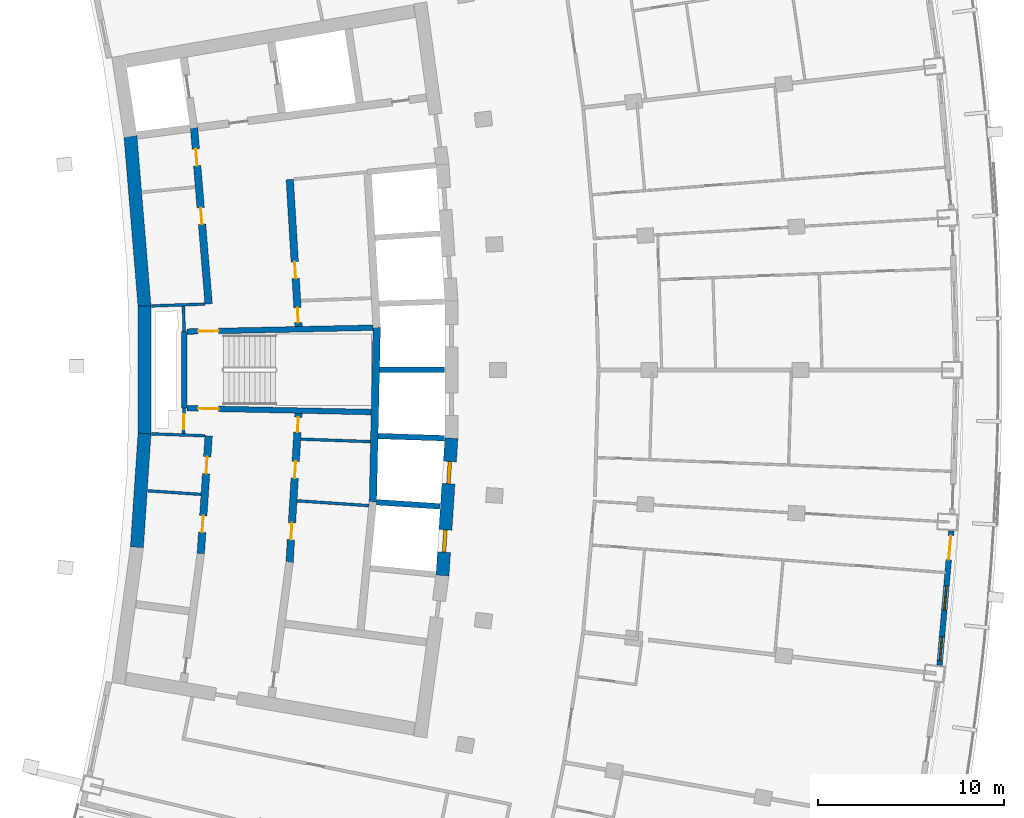
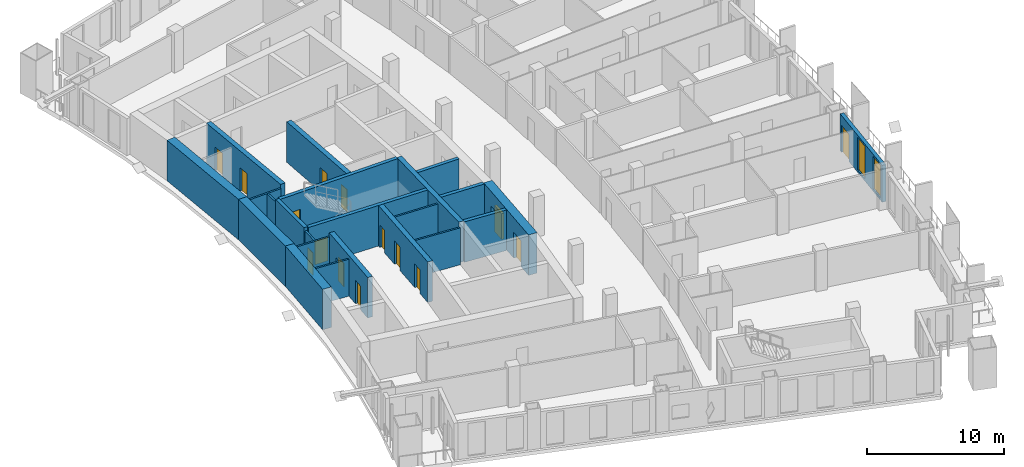
# One storey, part 13 of 21: 23 walls, 15 doors, 2 windows, 17 openings.
"""IFC4 building model written with IfcOpenShell, lengths in metres."""

from ifc_helpers import new_model, si_unit, direction, frame, frame_2d, origin, place, context, subcontext, project, spatial, rectangle, extrude, material, layer, layer_set, type_object, element, fill, save


model = new_model("IFC4")

# Units and contexts
model_context = context("Model", 3, precision=1e-05, world=origin(), true_north=direction((0.0, 1.0)))
body_context = subcontext(model_context, "Body", "Model", "MODEL_VIEW")
ifc_project = project(units=[si_unit("LENGTHUNIT", "METRE"), si_unit("AREAUNIT", "SQUARE_METRE"), si_unit("VOLUMEUNIT", "CUBIC_METRE"), si_unit("PLANEANGLEUNIT", "RADIAN"), si_unit("MASSUNIT", "GRAM", prefix="KILO")], contexts=[model_context])

# Site, building, storey
site_placement = place(None, origin())
site = spatial("IfcSite", under=ifc_project, at=site_placement, CompositionType="ELEMENT")
building_placement = place(site_placement, origin())
building = spatial("IfcBuilding", under=site, at=building_placement, Name="Alderwake Tower", CompositionType="ELEMENT")
storey_placement = place(building_placement, frame((0.0, 0.0, 146.0)))
storey = spatial("IfcBuildingStorey", under=building, at=storey_placement, Name="L35", CompositionType="ELEMENT", Elevation=146.0)

# Wall
ifc_material_1 = material(Name="Gypsum shaft wall system, rated")
ifc_layer_1 = layer(ifc_material_1, 0.14990234375)
ifc_layer_set_1 = layer_set([ifc_layer_1], Name="Core riser partition 150")
wall_type_1 = type_object("IfcWallType", Name="Core riser partition 150", PredefinedType="PARTITIONING", material=ifc_layer_set_1)
wall_1_placement = place(storey_placement, frame((25.1904296875, 57.276611328125, 0.0), z_axis=(0.0, 0.0, 1.0), x_axis=(0.99937350076, -0.035392173974, 0.0)))
element("IfcWall", 1, at=wall_1_placement, inside=storey, type_object=wall_type_1, Name="CW/L35/PR-37_+86", PredefinedType="PARTITIONING", context=body_context, shape_type="SweptSolid", body=[
    extrude(rectangle(XDim=3.752685546875, YDim=0.14990234375, at=frame_2d((1.87646484375, 0.0))), origin(), (0.0, 0.0, 1.0), 3.280029296875),
])

# Wall, opening, door
ifc_material_2 = material(Name="Gypsum shaft wall system, rated")
ifc_layer_2 = layer(ifc_material_2, 0.14990234375)
ifc_layer_set_2 = layer_set([ifc_layer_2], Name="Core room partition 150")
wall_type_2 = type_object("IfcWallType", Name="Core room partition 150", PredefinedType="PARTITIONING", material=ifc_layer_set_2)
wall_2_placement = place(storey_placement, frame((18.918701171875, 58.94384765625, 0.0), z_axis=(0.0, 0.0, 1.0), x_axis=(-0.027811602725, -0.999613182563, 0.0)))
wall_2 = element("IfcWall", 2, at=wall_2_placement, inside=storey, type_object=wall_type_2, Name="CW/L35/PA+24_-37", PredefinedType="PARTITIONING", context=body_context, shape_type="SweptSolid", body=[
    extrude(rectangle(XDim=1.369384765625, YDim=0.14990234375, at=frame_2d((0.6845703125, 0.0))), origin(), (0.0, 0.0, 1.0), 3.280029296875),
])
opening_1_placement = place(wall_2_placement, frame((0.322998046875, 0.0, 0.0)))
opening_1 = element("IfcOpeningElement", 3, at=opening_1_placement, cuts=wall_2, Name="Opening C004", PredefinedType="OPENING", context=body_context, shape_type="SweptSolid", body=[
    extrude(rectangle(XDim=0.800048828125, YDim=2.0, at=frame_2d((0.39990234375, 1.0))), frame((0.0, 0.0849609375, 0.0), z_axis=(0.0, -1.0, 0.0), x_axis=(1.0, 0.0, 0.0)), (0.0, 0.0, 1.0), 0.169921875),
])
ifc_material_3 = material(Name="Painted steel leaf, rated", Category="steel")
door_type_1 = type_object("IfcDoorType", Name="Riser access door 800", OperationType="SINGLE_SWING_LEFT", PredefinedType="DOOR", material=ifc_material_3)
door_1_placement = place(opening_1_placement, origin())
door_1 = element("IfcDoor", 4, at=door_1_placement, inside=storey, type_object=door_type_1, Name="Riser access door", OperationType="SINGLE_SWING_RIGHT", OverallHeight=2.0, OverallWidth=0.800048828125, PredefinedType="DOOR", context=body_context, shape_type="SweptSolid", body=[
    extrude(rectangle(XDim=0.800048828125, YDim=2.0, at=frame_2d((0.39990234375, 1.0))), frame((0.0, 0.02490234375, 0.0), z_axis=(0.0, -1.0, 0.0), x_axis=(1.0, 0.0, 0.0)), (0.0, 0.0, 1.0), 0.050048828125),
])
fill(opening_1, door_1)

# Walls
wall_3_placement = place(storey_placement, frame((18.918701171875, 63.05517578125, 0.0), z_axis=(0.0, 0.0, 1.0), x_axis=(-0.027791791559, 0.99961373356, 0.0)))
element("IfcWall", 5, at=wall_3_placement, inside=storey, type_object=wall_type_2, Name="CW/L35/PA+24_+22", PredefinedType="PARTITIONING", context=body_context, shape_type="SweptSolid", body=[
    extrude(rectangle(XDim=1.370361328125, YDim=0.14990234375, at=frame_2d((0.68505859375, 0.0))), origin(), (0.0, 0.0, 1.0), 3.280029296875),
])
wall_4_placement = place(storey_placement, frame((16.964111328125, 54.49951171875, 0.0), z_axis=(0.0, 0.0, 1.0), x_axis=(0.997759473015, -0.066903168895, 0.0)))
element("IfcWall", 6, at=wall_4_placement, inside=storey, type_object=wall_type_2, Name="CW/L35/PR-70_+0", PredefinedType="PARTITIONING", context=body_context, shape_type="SweptSolid", body=[
    extrude(rectangle(XDim=2.8681640625, YDim=0.14990234375, at=frame_2d((1.43408203125, 0.0))), origin(), (0.0, 0.0, 1.0), 3.280029296875),
])
wall_5_placement = place(storey_placement, frame((24.990234375, 53.96142578125, 0.0), z_axis=(0.0, 0.0, 1.0), x_axis=(0.997758824467, -0.06691284031, 0.0)))
element("IfcWall", 7, at=wall_5_placement, inside=storey, type_object=wall_type_2, Name="CW/L35/PR-70_+86", PredefinedType="PARTITIONING", context=body_context, shape_type="SweptSolid", body=[
    extrude(rectangle(XDim=3.86767578125, YDim=0.14990234375, at=frame_2d((1.933837890625, 0.0))), origin(), (0.0, 0.0, 1.0), 3.280029296875),
])
wall_6_placement = place(storey_placement, frame((17.169189453125, 57.560546875, 0.0), z_axis=(0.0, 0.0, 1.0), x_axis=(0.999373538371, -0.03539111194, 0.0)))
element("IfcWall", 8, at=wall_6_placement, inside=storey, type_object=wall_type_2, Name="CW/L35/PR-37_+0", PredefinedType="PARTITIONING", context=body_context, shape_type="SweptSolid", body=[
    extrude(rectangle(XDim=2.86962890625, YDim=0.14990234375, at=frame_2d((1.434814453125, 0.0))), origin(), (0.0, 0.0, 1.0), 3.280029296875),
])
wall_7_placement = place(storey_placement, frame((17.16943359375, 64.439453125, 0.0), z_axis=(0.0, 0.0, 1.0), x_axis=(0.999373431798, 0.035394121201, 0.0)))
element("IfcWall", 9, at=wall_7_placement, inside=storey, type_object=wall_type_2, Name="CW/L35/PR+37_+0", PredefinedType="PARTITIONING", context=body_context, shape_type="SweptSolid", body=[
    extrude(rectangle(XDim=2.869384765625, YDim=0.14990234375, at=frame_2d((1.4345703125, 0.0))), origin(), (0.0, 0.0, 1.0), 3.280029296875),
])
ifc_material_4 = material(Name="Concrete C70/85", Category="concrete")
ifc_layer_3 = layer(ifc_material_4, 0.699951171875)
ifc_layer_set_3 = layer_set([ifc_layer_3], Name="Core wall outer 700 C70-85")
wall_type_3 = type_object("IfcWallType", Name="Core wall outer 700 C70-85", PredefinedType="SHEAR", material=ifc_layer_set_3)
wall_8_placement = place(storey_placement, frame((16.379638671875, 51.46337890625, 0.0), z_axis=(0.0, 0.0, 1.0), x_axis=(0.066917731608, 0.997758496429, 0.0)))
element("IfcWall", 10, at=wall_8_placement, inside=storey, type_object=wall_type_3, Name="Core wall CW.041", PredefinedType="SHEAR", context=body_context, shape_type="SweptSolid", body=[
    extrude(rectangle(XDim=6.136474609375, YDim=0.699951171875, at=frame_2d((3.068359375, 0.0))), origin(), (0.0, 0.0, 1.0), 3.60009765625),
])
wall_9_placement = place(storey_placement, frame((16.789306640625, 57.561767578125, 0.0), z_axis=(0.0, 0.0, 1.0), x_axis=(0.0, 1.0, 0.0)))
element("IfcWall", 11, at=wall_9_placement, inside=storey, type_object=wall_type_3, Name="Core wall CW.043", PredefinedType="SHEAR", context=body_context, shape_type="SweptSolid", body=[
    extrude(rectangle(XDim=6.87939453125, YDim=0.699951171875, at=frame_2d((3.439697265625, 0.0))), origin(), (0.0, 0.0, 1.0), 3.60009765625),
])
wall_10_placement = place(storey_placement, frame((16.79052734375, 64.4111328125, 0.0), z_axis=(0.0, 0.0, 1.0), x_axis=(-0.082616907099, 0.996581379849, 0.0)))
element("IfcWall", 12, at=wall_10_placement, inside=storey, type_object=wall_type_3, Name="Core wall CW.040", PredefinedType="SHEAR", context=body_context, shape_type="SweptSolid", body=[
    extrude(rectangle(XDim=9.193359375, YDim=0.699951171875, at=frame_2d((4.5966796875, 0.0))), origin(), (0.0, 0.0, 1.0), 3.60009765625),
])

# Wall, openings, doors
wall_11_placement = place(storey_placement, frame((32.810302734375, 49.9482421875, 0.0), z_axis=(0.0, 0.0, 1.0), x_axis=(0.065009096017, 0.99788467141, 0.0)))
wall_11 = element("IfcWall", 13, at=wall_11_placement, inside=storey, type_object=wall_type_3, Name="Core wall CW.011", PredefinedType="SHEAR", context=body_context, shape_type="SweptSolid", body=[
    extrude(rectangle(XDim=7.39453125, YDim=0.699951171875, at=frame_2d((3.697265625, 0.0))), origin(), (0.0, 0.0, 1.0), 3.60009765625),
])
opening_2_placement = place(wall_11_placement, frame((1.255126953125, 0.0, 0.0)))
opening_2 = element("IfcOpeningElement", 14, at=opening_2_placement, cuts=wall_11, Name="Opening LD-HP1", PredefinedType="OPENING", context=body_context, shape_type="SweptSolid", body=[
    extrude(rectangle(XDim=1.199951171875, YDim=2.300048828125, at=frame_2d((0.60009765625, 1.14990234375))), frame((0.0, 0.35986328125, 0.0), z_axis=(0.0, -1.0, 0.0), x_axis=(1.0, 0.0, 0.0)), (0.0, 0.0, 1.0), 0.719970703125),
])
opening_3_placement = place(wall_11_placement, frame((4.9404296875, 0.0, 0.0)))
opening_3 = element("IfcOpeningElement", 15, at=opening_3_placement, cuts=wall_11, Name="Opening LD-HP2", PredefinedType="OPENING", context=body_context, shape_type="SweptSolid", body=[
    extrude(rectangle(XDim=1.199951171875, YDim=2.300048828125, at=frame_2d((0.60009765625, 1.14990234375))), frame((0.0, 0.35986328125, 0.0), z_axis=(0.0, -1.0, 0.0), x_axis=(1.0, 0.0, 0.0)), (0.0, 0.0, 1.0), 0.719970703125),
])
ifc_material_5 = material(Name="Stainless steel sliding leaf", Category="steel")
door_type_2 = type_object("IfcDoorType", Name="Lift landing door 1200", OperationType="SLIDING_TO_LEFT", PredefinedType="DOOR", material=ifc_material_5)
door_2_placement = place(opening_2_placement, origin())
door_2 = element("IfcDoor", 16, at=door_2_placement, inside=storey, type_object=door_type_2, Name="Lift landing door HP1", OperationType="SLIDING_TO_LEFT", OverallHeight=2.300048828125, OverallWidth=1.199951171875, PredefinedType="DOOR", context=body_context, shape_type="SweptSolid", body=[
    extrude(rectangle(XDim=1.199951171875, YDim=2.300048828125, at=frame_2d((0.60009765625, 1.14990234375))), frame((0.0, 0.10009765625, 0.0), z_axis=(0.0, -1.0, 0.0), x_axis=(1.0, 0.0, 0.0)), (0.0, 0.0, 1.0), 0.199951171875),
])
fill(opening_2, door_2)
door_3_placement = place(opening_3_placement, origin())
door_3 = element("IfcDoor", 17, at=door_3_placement, inside=storey, type_object=door_type_2, Name="Lift landing door HP2", OperationType="SLIDING_TO_LEFT", OverallHeight=2.300048828125, OverallWidth=1.199951171875, PredefinedType="DOOR", context=body_context, shape_type="SweptSolid", body=[
    extrude(rectangle(XDim=1.199951171875, YDim=2.300048828125, at=frame_2d((0.60009765625, 1.14990234375))), frame((0.0, 0.10009765625, 0.0), z_axis=(0.0, -1.0, 0.0), x_axis=(1.0, 0.0, 0.0)), (0.0, 0.0, 1.0), 0.199951171875),
])
fill(opening_3, door_3)

# Walls
ifc_material_6 = material(Name="Concrete C70/85", Category="concrete")
ifc_layer_4 = layer(ifc_material_6, 0.300048828125)
ifc_layer_set_4 = layer_set([ifc_layer_4], Name="Core wall shaft 300 C70-85")
wall_type_4 = type_object("IfcWallType", Name="Core wall shaft 300 C70-85", PredefinedType="SHEAR", material=ifc_layer_set_4)
wall_12_placement = place(storey_placement, frame((29.268798828125, 53.884521484375, 0.0), z_axis=(0.0, 0.0, 1.0), x_axis=(0.997884450261, -0.065012490553, 0.0)))
element("IfcWall", 18, at=wall_12_placement, inside=storey, type_object=wall_type_4, Name="Core wall CW.078", PredefinedType="SHEAR", context=body_context, shape_type="SweptSolid", body=[
    extrude(rectangle(XDim=3.409912109375, YDim=0.300048828125, at=frame_2d((1.705078125, 0.0))), origin(), (0.0, 0.0, 1.0), 3.60009765625),
])
wall_13_placement = place(storey_placement, frame((29.347412109375, 57.443603515625, 0.0), z_axis=(0.0, 0.0, 1.0), x_axis=(0.999470674121, -0.03253262319, 0.0)))
element("IfcWall", 19, at=wall_13_placement, inside=storey, type_object=wall_type_4, Name="Core wall CW.075", PredefinedType="SHEAR", context=body_context, shape_type="SweptSolid", body=[
    extrude(rectangle(XDim=3.564697265625, YDim=0.300048828125, at=frame_2d((1.7822265625, 0.0))), origin(), (0.0, 0.0, 1.0), 3.60009765625),
])
wall_14_placement = place(storey_placement, frame((29.426025390625, 61.0, 0.0), z_axis=(0.0, 0.0, 1.0), x_axis=(1.0, 0.0, 0.0)))
element("IfcWall", 20, at=wall_14_placement, inside=storey, type_object=wall_type_4, Name="Core wall CW.048", PredefinedType="SHEAR", context=body_context, shape_type="SweptSolid", body=[
    extrude(rectangle(XDim=3.484130859375, YDim=0.300048828125, at=frame_2d((1.7421875, 0.0))), origin(), (0.0, 0.0, 1.0), 3.60009765625),
])

# Wall, openings, doors
ifc_material_7 = material(Name="Concrete C70/85", Category="concrete")
ifc_layer_5 = layer(ifc_material_7, 0.39990234375)
ifc_layer_set_5 = layer_set([ifc_layer_5], Name="Core wall spine 400 C70-85")
wall_type_5 = type_object("IfcWallType", Name="Core wall spine 400 C70-85", PredefinedType="SHEAR", material=ifc_layer_set_5)
wall_15_placement = place(storey_placement, frame((20.2373046875, 57.451904296875, 0.0), z_axis=(0.0, 0.0, 1.0), x_axis=(-0.066887252767, -0.997760540118, 0.0)))
wall_15 = element("IfcWall", 21, at=wall_15_placement, inside=storey, type_object=wall_type_5, Name="Core wall CW.032", PredefinedType="SHEAR", context=body_context, shape_type="SweptSolid", body=[
    extrude(rectangle(XDim=6.33642578125, YDim=0.39990234375, at=frame_2d((3.168212890625, 0.0))), origin(), (0.0, 0.0, 1.0), 3.60009765625),
])
opening_4_placement = place(wall_15_placement, frame((4.29736328125, 0.0, 0.0)))
opening_4 = element("IfcOpeningElement", 22, at=opening_4_placement, cuts=wall_15, Name="Opening C038", PredefinedType="OPENING", context=body_context, shape_type="SweptSolid", body=[
    extrude(rectangle(XDim=0.89990234375, YDim=2.10009765625, at=frame_2d((0.449951171875, 1.050048828125))), frame((0.0, 0.2099609375, 0.0), z_axis=(0.0, -1.0, 0.0), x_axis=(1.0, 0.0, 0.0)), (0.0, 0.0, 1.0), 0.419921875),
])
opening_5_placement = place(wall_15_placement, frame((1.132080078125, 0.0, 0.0)))
opening_5 = element("IfcOpeningElement", 23, at=opening_5_placement, cuts=wall_15, Name="Opening C042", PredefinedType="OPENING", context=body_context, shape_type="SweptSolid", body=[
    extrude(rectangle(XDim=0.89990234375, YDim=2.10009765625, at=frame_2d((0.449951171875, 1.050048828125))), frame((0.0, 0.2099609375, 0.0), z_axis=(0.0, -1.0, 0.0), x_axis=(1.0, 0.0, 0.0)), (0.0, 0.0, 1.0), 0.419921875),
])
ifc_material_8 = material(Name="Painted steel leaf", Category="steel")
door_type_3 = type_object("IfcDoorType", Name="Core room door 900", OperationType="SINGLE_SWING_LEFT", PredefinedType="DOOR", material=ifc_material_8)
door_4_placement = place(opening_4_placement, origin())
door_4 = element("IfcDoor", 24, at=door_4_placement, inside=storey, type_object=door_type_3, Name="Room door", OperationType="SINGLE_SWING_RIGHT", OverallHeight=2.10009765625, OverallWidth=0.89990234375, PredefinedType="DOOR", context=body_context, shape_type="SweptSolid", body=[
    extrude(rectangle(XDim=0.89990234375, YDim=2.10009765625, at=frame_2d((0.449951171875, 1.050048828125))), frame((0.0, 0.02490234375, 0.0), z_axis=(0.0, -1.0, 0.0), x_axis=(1.0, 0.0, 0.0)), (0.0, 0.0, 1.0), 0.050048828125),
])
fill(opening_4, door_4)
door_5_placement = place(opening_5_placement, origin())
door_5 = element("IfcDoor", 25, at=door_5_placement, inside=storey, type_object=door_type_3, Name="Room door", OperationType="SINGLE_SWING_LEFT", OverallHeight=2.10009765625, OverallWidth=0.89990234375, PredefinedType="DOOR", context=body_context, shape_type="SweptSolid", body=[
    extrude(rectangle(XDim=0.89990234375, YDim=2.10009765625, at=frame_2d((0.449951171875, 1.050048828125))), frame((0.0, 0.02490234375, 0.0), z_axis=(0.0, -1.0, 0.0), x_axis=(1.0, 0.0, 0.0)), (0.0, 0.0, 1.0), 0.050048828125),
])
fill(opening_5, door_5)

wall_16_placement = place(storey_placement, frame((19.452392578125, 74.014892578125, 0.0), z_axis=(0.0, 0.0, 1.0), x_axis=(0.082628585297, -0.996580411654, 0.0)))
wall_16 = element("IfcWall", 26, at=wall_16_placement, inside=storey, type_object=wall_type_5, Name="Core wall CW.031", PredefinedType="SHEAR", context=body_context, shape_type="SweptSolid", body=[
    extrude(rectangle(XDim=9.499267578125, YDim=0.39990234375, at=frame_2d((4.74951171875, 0.0))), origin(), (0.0, 0.0, 1.0), 3.60009765625),
])
opening_6_placement = place(wall_16_placement, frame((4.302978515625, 0.0, 0.0)))
opening_6 = element("IfcOpeningElement", 27, at=opening_6_placement, cuts=wall_16, Name="Opening C052", PredefinedType="OPENING", context=body_context, shape_type="SweptSolid", body=[
    extrude(rectangle(XDim=0.89990234375, YDim=2.10009765625, at=frame_2d((0.449951171875, 1.050048828125))), frame((0.0, 0.2099609375, 0.0), z_axis=(0.0, -1.0, 0.0), x_axis=(1.0, 0.0, 0.0)), (0.0, 0.0, 1.0), 0.419921875),
])
opening_7_placement = place(wall_16_placement, frame((1.138427734375, 0.0, 0.0)))
opening_7 = element("IfcOpeningElement", 28, at=opening_7_placement, cuts=wall_16, Name="Opening C056", PredefinedType="OPENING", context=body_context, shape_type="SweptSolid", body=[
    extrude(rectangle(XDim=0.89990234375, YDim=2.10009765625, at=frame_2d((0.449951171875, 1.050048828125))), frame((0.0, 0.2099609375, 0.0), z_axis=(0.0, -1.0, 0.0), x_axis=(1.0, 0.0, 0.0)), (0.0, 0.0, 1.0), 0.419921875),
])
door_6_placement = place(opening_6_placement, origin())
door_6 = element("IfcDoor", 29, at=door_6_placement, inside=storey, type_object=door_type_3, Name="Room door", OperationType="SINGLE_SWING_LEFT", OverallHeight=2.10009765625, OverallWidth=0.89990234375, PredefinedType="DOOR", context=body_context, shape_type="SweptSolid", body=[
    extrude(rectangle(XDim=0.89990234375, YDim=2.10009765625, at=frame_2d((0.449951171875, 1.050048828125))), frame((0.0, 0.02490234375, 0.0), z_axis=(0.0, -1.0, 0.0), x_axis=(1.0, 0.0, 0.0)), (0.0, 0.0, 1.0), 0.050048828125),
])
fill(opening_6, door_6)
door_7_placement = place(opening_7_placement, origin())
door_7 = element("IfcDoor", 30, at=door_7_placement, inside=storey, type_object=door_type_3, Name="Room door", OperationType="SINGLE_SWING_RIGHT", OverallHeight=2.10009765625, OverallWidth=0.89990234375, PredefinedType="DOOR", context=body_context, shape_type="SweptSolid", body=[
    extrude(rectangle(XDim=0.89990234375, YDim=2.10009765625, at=frame_2d((0.449951171875, 1.050048828125))), frame((0.0, 0.02490234375, 0.0), z_axis=(0.0, -1.0, 0.0), x_axis=(1.0, 0.0, 0.0)), (0.0, 0.0, 1.0), 0.050048828125),
])
fill(opening_7, door_7)

wall_17_placement = place(storey_placement, frame((24.590087890625, 50.656982421875, 0.0), z_axis=(0.0, 0.0, 1.0), x_axis=(0.060320473855, 0.99817906231, 0.0)))
wall_17 = element("IfcWall", 31, at=wall_17_placement, inside=storey, type_object=wall_type_5, Name="Core wall CW.046", PredefinedType="SHEAR", context=body_context, shape_type="SweptSolid", body=[
    extrude(rectangle(XDim=8.02197265625, YDim=0.39990234375, at=frame_2d((4.010986328125, 0.0))), origin(), (0.0, 0.0, 1.0), 3.60009765625),
])
opening_8_placement = place(wall_17_placement, frame((7.005859375, 0.0, 0.0)))
opening_8 = element("IfcOpeningElement", 32, at=opening_8_placement, cuts=wall_17, Name="Opening C006", PredefinedType="OPENING", context=body_context, shape_type="SweptSolid", body=[
    extrude(rectangle(XDim=0.800048828125, YDim=2.0, at=frame_2d((0.39990234375, 1.0))), frame((0.0, 0.2099609375, 0.0), z_axis=(0.0, -1.0, 0.0), x_axis=(1.0, 0.0, 0.0)), (0.0, 0.0, 1.0), 0.419921875),
])
opening_9_placement = place(wall_17_placement, frame((1.21533203125, 0.0, 0.0)))
opening_9 = element("IfcOpeningElement", 33, at=opening_9_placement, cuts=wall_17, Name="Opening C044", PredefinedType="OPENING", context=body_context, shape_type="SweptSolid", body=[
    extrude(rectangle(XDim=0.89990234375, YDim=2.10009765625, at=frame_2d((0.449951171875, 1.050048828125))), frame((0.0, 0.2099609375, 0.0), z_axis=(0.0, -1.0, 0.0), x_axis=(1.0, 0.0, 0.0)), (0.0, 0.0, 1.0), 0.419921875),
])
opening_10_placement = place(wall_17_placement, frame((4.53173828125, 0.0, 0.0)))
opening_10 = element("IfcOpeningElement", 34, at=opening_10_placement, cuts=wall_17, Name="Opening C048", PredefinedType="OPENING", context=body_context, shape_type="SweptSolid", body=[
    extrude(rectangle(XDim=0.89990234375, YDim=2.10009765625, at=frame_2d((0.449951171875, 1.050048828125))), frame((0.0, 0.2099609375, 0.0), z_axis=(0.0, -1.0, 0.0), x_axis=(1.0, 0.0, 0.0)), (0.0, 0.0, 1.0), 0.419921875),
])
door_8_placement = place(opening_9_placement, origin())
door_8 = element("IfcDoor", 35, at=door_8_placement, inside=storey, type_object=door_type_3, Name="Room door", OperationType="SINGLE_SWING_RIGHT", OverallHeight=2.10009765625, OverallWidth=0.89990234375, PredefinedType="DOOR", context=body_context, shape_type="SweptSolid", body=[
    extrude(rectangle(XDim=0.89990234375, YDim=2.10009765625, at=frame_2d((0.449951171875, 1.050048828125))), frame((0.0, 0.02490234375, 0.0), z_axis=(0.0, -1.0, 0.0), x_axis=(1.0, 0.0, 0.0)), (0.0, 0.0, 1.0), 0.050048828125),
])
fill(opening_9, door_8)
door_9_placement = place(opening_10_placement, origin())
door_9 = element("IfcDoor", 36, at=door_9_placement, inside=storey, type_object=door_type_3, Name="Room door", OperationType="SINGLE_SWING_LEFT", OverallHeight=2.10009765625, OverallWidth=0.89990234375, PredefinedType="DOOR", context=body_context, shape_type="SweptSolid", body=[
    extrude(rectangle(XDim=0.89990234375, YDim=2.10009765625, at=frame_2d((0.449951171875, 1.050048828125))), frame((0.0, 0.02490234375, 0.0), z_axis=(0.0, -1.0, 0.0), x_axis=(1.0, 0.0, 0.0)), (0.0, 0.0, 1.0), 0.050048828125),
])
fill(opening_10, door_9)
door_10_placement = place(opening_8_placement, origin())
door_10 = element("IfcDoor", 37, at=door_10_placement, inside=storey, type_object=door_type_1, Name="Riser access door", OperationType="SINGLE_SWING_RIGHT", OverallHeight=2.0, OverallWidth=0.800048828125, PredefinedType="DOOR", context=body_context, shape_type="SweptSolid", body=[
    extrude(rectangle(XDim=0.800048828125, YDim=2.0, at=frame_2d((0.39990234375, 1.0))), frame((0.0, 0.02490234375, 0.0), z_axis=(0.0, -1.0, 0.0), x_axis=(1.0, 0.0, 0.0)), (0.0, 0.0, 1.0), 0.050048828125),
])
fill(opening_8, door_10)

wall_18_placement = place(storey_placement, frame((25.073974609375, 63.335693359375, 0.0), z_axis=(0.0, 0.0, 1.0), x_axis=(-0.059848641072, 0.998207463487, 0.0)))
wall_18 = element("IfcWall", 38, at=wall_18_placement, inside=storey, type_object=wall_type_5, Name="Core wall CW.045", PredefinedType="SHEAR", context=body_context, shape_type="SweptSolid", body=[
    extrude(rectangle(XDim=7.913818359375, YDim=0.39990234375, at=frame_2d((3.95703125, 0.0))), origin(), (0.0, 0.0, 1.0), 3.60009765625),
])
opening_11_placement = place(wall_18_placement, frame((0.216064453125, 0.0, 0.0)))
opening_11 = element("IfcOpeningElement", 39, at=opening_11_placement, cuts=wall_18, Name="Opening C005", PredefinedType="OPENING", context=body_context, shape_type="SweptSolid", body=[
    extrude(rectangle(XDim=0.800048828125, YDim=2.0, at=frame_2d((0.39990234375, 1.0))), frame((0.0, 0.2099609375, 0.0), z_axis=(0.0, -1.0, 0.0), x_axis=(1.0, 0.0, 0.0)), (0.0, 0.0, 1.0), 0.419921875),
])
opening_12_placement = place(wall_18_placement, frame((2.590087890625, 0.0, 0.0)))
opening_12 = element("IfcOpeningElement", 40, at=opening_12_placement, cuts=wall_18, Name="Opening C057", PredefinedType="OPENING", context=body_context, shape_type="SweptSolid", body=[
    extrude(rectangle(XDim=0.89990234375, YDim=2.10009765625, at=frame_2d((0.449951171875, 1.050048828125))), frame((0.0, 0.2099609375, 0.0), z_axis=(0.0, -1.0, 0.0), x_axis=(1.0, 0.0, 0.0)), (0.0, 0.0, 1.0), 0.419921875),
])
door_11_placement = place(opening_12_placement, origin())
door_11 = element("IfcDoor", 41, at=door_11_placement, inside=storey, type_object=door_type_3, Name="Room door", OperationType="SINGLE_SWING_LEFT", OverallHeight=2.10009765625, OverallWidth=0.89990234375, PredefinedType="DOOR", context=body_context, shape_type="SweptSolid", body=[
    extrude(rectangle(XDim=0.89990234375, YDim=2.10009765625, at=frame_2d((0.449951171875, 1.050048828125))), frame((0.0, 0.02490234375, 0.0), z_axis=(0.0, -1.0, 0.0), x_axis=(1.0, 0.0, 0.0)), (0.0, 0.0, 1.0), 0.050048828125),
])
fill(opening_12, door_11)
door_12_placement = place(opening_11_placement, origin())
door_12 = element("IfcDoor", 42, at=door_12_placement, inside=storey, type_object=door_type_1, Name="Riser access door", OperationType="SINGLE_SWING_LEFT", OverallHeight=2.0, OverallWidth=0.800048828125, PredefinedType="DOOR", context=body_context, shape_type="SweptSolid", body=[
    extrude(rectangle(XDim=0.800048828125, YDim=2.0, at=frame_2d((0.39990234375, 1.0))), frame((0.0, 0.02490234375, 0.0), z_axis=(0.0, -1.0, 0.0), x_axis=(1.0, 0.0, 0.0)), (0.0, 0.0, 1.0), 0.050048828125),
])
fill(opening_11, door_12)

# Walls
wall_19_placement = place(storey_placement, frame((29.06884765625, 53.8896484375, 0.0), z_axis=(0.0, 0.0, 1.0), x_axis=(0.022115722908, 0.99975541749, 0.0)))
element("IfcWall", 43, at=wall_19_placement, inside=storey, type_object=wall_type_5, Name="Core wall CW.008", PredefinedType="SHEAR", context=body_context, shape_type="SweptSolid", body=[
    extrude(rectangle(XDim=9.394287109375, YDim=0.39990234375, at=frame_2d((4.697265625, 0.0))), origin(), (0.0, 0.0, 1.0), 3.60009765625),
])
ifc_material_9 = material(Name="Concrete C70/85", Category="concrete")
ifc_layer_6 = layer(ifc_material_9, 0.300048828125)
ifc_layer_set_6 = layer_set([ifc_layer_6], Name="Core wall stair enclosure 300 C70-85")
wall_type_6 = type_object("IfcWallType", Name="Core wall stair enclosure 300 C70-85", PredefinedType="SHEAR", material=ifc_layer_set_6)
wall_20_placement = place(storey_placement, frame((18.918701171875, 58.940673828125, 0.0), z_axis=(0.0, 0.0, 1.0), x_axis=(0.0, 1.0, 0.0)))
element("IfcWall", 44, at=wall_20_placement, inside=storey, type_object=wall_type_6, Name="Core wall CW.024", PredefinedType="SHEAR", context=body_context, shape_type="SweptSolid", body=[
    extrude(rectangle(XDim=4.11962890625, YDim=0.300048828125, at=frame_2d((2.059814453125, 0.0))), origin(), (0.0, 0.0, 1.0), 3.60009765625),
])

# Wall, opening, door
wall_21_placement = place(storey_placement, frame((28.975830078125, 58.733154296875, 0.0), z_axis=(0.0, 0.0, 1.0), x_axis=(-0.999783782948, 0.020793925895, 0.0)))
wall_21 = element("IfcWall", 45, at=wall_21_placement, inside=storey, type_object=wall_type_6, Name="Core wall CW.074", PredefinedType="SHEAR", context=body_context, shape_type="SweptSolid", body=[
    extrude(rectangle(XDim=9.909423828125, YDim=0.300048828125, at=frame_2d((4.95458984375, 0.0))), origin(), (0.0, 0.0, 1.0), 3.60009765625),
])
opening_13_placement = place(wall_21_placement, frame((8.20947265625, 0.0, 0.0)))
opening_13 = element("IfcOpeningElement", 46, at=opening_13_placement, cuts=wall_21, Name="Opening C063", PredefinedType="OPENING", context=body_context, shape_type="SweptSolid", body=[
    extrude(rectangle(XDim=1.10009765625, YDim=2.10009765625, at=frame_2d((0.550048828125, 1.050048828125))), frame((0.0, 0.159912109375, 0.0), z_axis=(0.0, -1.0, 0.0), x_axis=(1.0, 0.0, 0.0)), (0.0, 0.0, 1.0), 0.320068359375),
])
ifc_material_10 = material(Name="Steel-framed fire door leaf", Category="steel")
door_type_4 = type_object("IfcDoorType", Name="Core stair door 1100 fire-rated", OperationType="SINGLE_SWING_LEFT", PredefinedType="DOOR", material=ifc_material_10)
door_13_placement = place(opening_13_placement, origin())
door_13 = element("IfcDoor", 47, at=door_13_placement, inside=storey, type_object=door_type_4, Name="Stair door", OperationType="SINGLE_SWING_LEFT", OverallHeight=2.10009765625, OverallWidth=1.10009765625, PredefinedType="DOOR", context=body_context, shape_type="SweptSolid", body=[
    extrude(rectangle(XDim=1.10009765625, YDim=2.10009765625, at=frame_2d((0.550048828125, 1.050048828125))), frame((0.0, 0.02490234375, 0.0), z_axis=(0.0, -1.0, 0.0), x_axis=(1.0, 0.0, 0.0)), (0.0, 0.0, 1.0), 0.050048828125),
])
fill(opening_13, door_13)

wall_22_placement = place(storey_placement, frame((19.068603515625, 63.060791015625, 0.0), z_axis=(0.0, 0.0, 1.0), x_axis=(0.999783553773, 0.02080494185, 0.0)))
wall_22 = element("IfcWall", 48, at=wall_22_placement, inside=storey, type_object=wall_type_6, Name="Core wall CW.057", PredefinedType="SHEAR", context=body_context, shape_type="SweptSolid", body=[
    extrude(rectangle(XDim=10.009765625, YDim=0.300048828125, at=frame_2d((5.0048828125, 0.0))), origin(), (0.0, 0.0, 1.0), 3.60009765625),
])
opening_14_placement = place(wall_22_placement, frame((0.60009765625, 0.0, 0.0)))
opening_14 = element("IfcOpeningElement", 49, at=opening_14_placement, cuts=wall_22, Name="Opening C064", PredefinedType="OPENING", context=body_context, shape_type="SweptSolid", body=[
    extrude(rectangle(XDim=1.10009765625, YDim=2.10009765625, at=frame_2d((0.550048828125, 1.050048828125))), frame((0.0, 0.159912109375, 0.0), z_axis=(0.0, -1.0, 0.0), x_axis=(1.0, 0.0, 0.0)), (0.0, 0.0, 1.0), 0.320068359375),
])
door_14_placement = place(opening_14_placement, origin())
door_14 = element("IfcDoor", 50, at=door_14_placement, inside=storey, type_object=door_type_4, Name="Stair door", OperationType="SINGLE_SWING_RIGHT", OverallHeight=2.10009765625, OverallWidth=1.10009765625, PredefinedType="DOOR", context=body_context, shape_type="SweptSolid", body=[
    extrude(rectangle(XDim=1.10009765625, YDim=2.10009765625, at=frame_2d((0.550048828125, 1.050048828125))), frame((0.0, 0.02490234375, 0.0), z_axis=(0.0, -1.0, 0.0), x_axis=(1.0, 0.0, 0.0)), (0.0, 0.0, 1.0), 0.050048828125),
])
fill(opening_14, door_14)

# Wall, openings, door, windows
ifc_material_11 = material(Name="Precast concrete C50/60 spandrel panel", Category="concrete")
ifc_layer_7 = layer(ifc_material_11, 0.300048828125)
ifc_layer_set_7 = layer_set([ifc_layer_7], Name="External wall EW1 Precast concrete C50/60 spandrel")
wall_type_7 = type_object("IfcWallType", Name="External wall EW1 Precast concrete C50/60 spandrel", PredefinedType="SOLIDWALL", material=ifc_layer_set_7)
wall_23_placement = place(storey_placement, frame((59.53662109375, 45.12255859375, 0.0), z_axis=(0.0, 0.0, 1.0), x_axis=(0.08737260162, 0.996175701614, 0.0)))
wall_23 = element("IfcWall", 51, at=wall_23_placement, inside=storey, type_object=wall_type_7, Name="External wall 14", PredefinedType="SOLIDWALL", context=body_context, shape_type="SweptSolid", body=[
    extrude(rectangle(XDim=7.245361328125, YDim=0.300048828125, at=frame_2d((3.62255859375, 0.0))), origin(), (0.0, 0.0, 1.0), 3.280029296875),
])
opening_15_placement = place(wall_23_placement, frame((0.2470703125, 0.0, 0.199951171875)))
opening_15 = element("IfcOpeningElement", 52, at=opening_15_placement, cuts=wall_23, Name="Opening W1", PredefinedType="OPENING", context=body_context, shape_type="SweptSolid", body=[
    extrude(rectangle(XDim=1.300048828125, YDim=2.89990234375, at=frame_2d((0.64990234375, 1.449951171875))), frame((0.0, 0.159912109375, 0.0), z_axis=(0.0, -1.0, 0.0), x_axis=(1.0, 0.0, 0.0)), (0.0, 0.0, 1.0), 0.320068359375),
])
opening_16_placement = place(wall_23_placement, frame((2.97265625, 0.0, 0.199951171875)))
opening_16 = element("IfcOpeningElement", 53, at=opening_16_placement, cuts=wall_23, Name="Opening W1", PredefinedType="OPENING", context=body_context, shape_type="SweptSolid", body=[
    extrude(rectangle(XDim=1.300048828125, YDim=2.89990234375, at=frame_2d((0.64990234375, 1.449951171875))), frame((0.0, 0.159912109375, 0.0), z_axis=(0.0, -1.0, 0.0), x_axis=(1.0, 0.0, 0.0)), (0.0, 0.0, 1.0), 0.320068359375),
])
opening_17_placement = place(wall_23_placement, frame((5.698486328125, 0.0, 0.0)))
opening_17 = element("IfcOpeningElement", 54, at=opening_17_placement, cuts=wall_23, Name="Opening D04", PredefinedType="OPENING", context=body_context, shape_type="SweptSolid", body=[
    extrude(rectangle(XDim=1.300048828125, YDim=2.39990234375, at=frame_2d((0.64990234375, 1.199951171875))), frame((0.0, 0.159912109375, 0.0), z_axis=(0.0, -1.0, 0.0), x_axis=(1.0, 0.0, 0.0)), (0.0, 0.0, 1.0), 0.320068359375),
])
ifc_material_12 = material(Name="Bronze tinted glass in aluminium frame", Category="aluminium")
door_type_5 = type_object("IfcDoorType", Name="Balcony door BD sliding", OperationType="SLIDING_TO_LEFT", PredefinedType="DOOR", material=ifc_material_12)
door_15_placement = place(opening_17_placement, origin())
door_15 = element("IfcDoor", 55, at=door_15_placement, inside=storey, type_object=door_type_5, Name="Door D04", OperationType="SLIDING_TO_LEFT", OverallHeight=2.39990234375, OverallWidth=1.300048828125, PredefinedType="DOOR", context=body_context, shape_type="SweptSolid", body=[
    extrude(rectangle(XDim=1.300048828125, YDim=2.39990234375, at=frame_2d((0.64990234375, 1.199951171875))), frame((0.0, 0.02490234375, 0.0), z_axis=(0.0, -1.0, 0.0), x_axis=(1.0, 0.0, 0.0)), (0.0, 0.0, 1.0), 0.050048828125),
])
fill(opening_17, door_15)
ifc_material_13 = material(Name="Bronze tinted glass in aluminium frame", Category="aluminium")
window_type = type_object("IfcWindowType", Name="Window W1 tall fixed and vent", PartitioningType="DOUBLE_PANEL_VERTICAL", PredefinedType="WINDOW", material=ifc_material_13)
window_1_placement = place(opening_15_placement, origin())
window_1 = element("IfcWindow", 56, at=window_1_placement, inside=storey, type_object=window_type, Name="Window W1 tall fixed and vent", OverallHeight=2.89990234375, OverallWidth=1.300048828125, PartitioningType="DOUBLE_PANEL_VERTICAL", PredefinedType="WINDOW", context=body_context, shape_type="SweptSolid", body=[
    extrude(rectangle(XDim=1.300048828125, YDim=2.89990234375, at=frame_2d((0.64990234375, 1.449951171875))), frame((0.0, 0.030029296875, 0.0), z_axis=(0.0, -1.0, 0.0), x_axis=(1.0, 0.0, 0.0)), (0.0, 0.0, 1.0), 0.06005859375),
])
fill(opening_15, window_1)
window_2_placement = place(opening_16_placement, origin())
window_2 = element("IfcWindow", 57, at=window_2_placement, inside=storey, type_object=window_type, Name="Window W1 tall fixed and vent", OverallHeight=2.89990234375, OverallWidth=1.300048828125, PartitioningType="DOUBLE_PANEL_VERTICAL", PredefinedType="WINDOW", context=body_context, shape_type="SweptSolid", body=[
    extrude(rectangle(XDim=1.300048828125, YDim=2.89990234375, at=frame_2d((0.64990234375, 1.449951171875))), frame((0.0, 0.030029296875, 0.0), z_axis=(0.0, -1.0, 0.0), x_axis=(1.0, 0.0, 0.0)), (0.0, 0.0, 1.0), 0.06005859375),
])
fill(opening_16, window_2)

save(model, "model.ifc")
